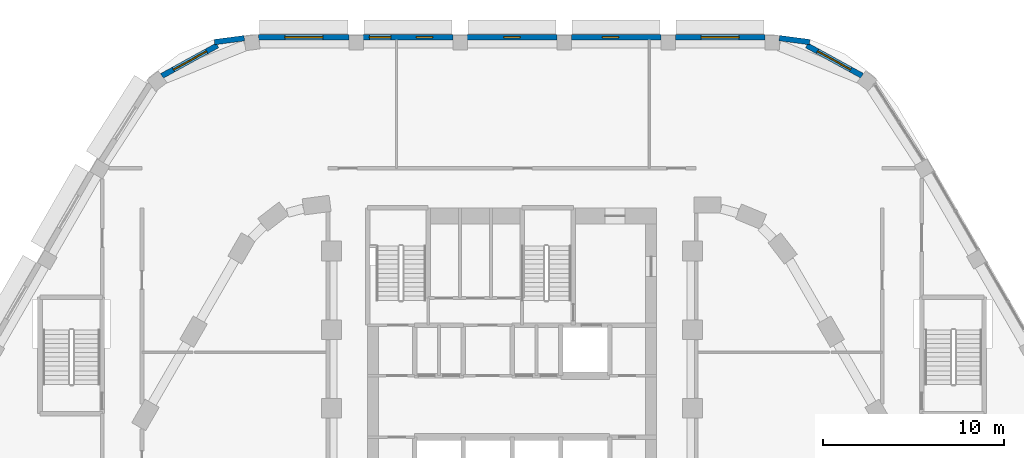
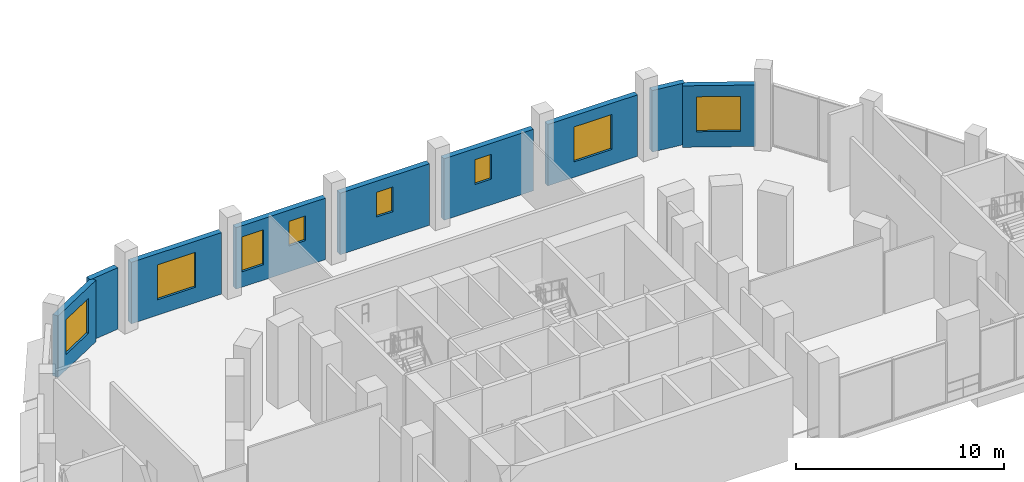
# One storey, part 23 of 45: 9 walls, 8 windows, 8 openings.
"""IFC4 building model written with IfcOpenShell, lengths in metres."""

from ifc_helpers import new_model, si_unit, direction, frame, frame_2d, origin, place, context, subcontext, project, spatial, rectangle, extrude, material, layer, layer_set, type_object, element, fill, save


model = new_model("IFC4")

# Units and contexts
model_context = context("Model", 3, precision=1e-05, world=origin(), true_north=direction((0.0, 1.0)))
body_context = subcontext(model_context, "Body", "Model", "MODEL_VIEW")
ifc_project = project(units=[si_unit("LENGTHUNIT", "METRE"), si_unit("AREAUNIT", "SQUARE_METRE"), si_unit("VOLUMEUNIT", "CUBIC_METRE"), si_unit("PLANEANGLEUNIT", "RADIAN"), si_unit("MASSUNIT", "GRAM", prefix="KILO")], contexts=[model_context])

# Site, building, storey
site_placement = place(None, origin())
site = spatial("IfcSite", under=ifc_project, at=site_placement, CompositionType="ELEMENT")
building_placement = place(site_placement, origin())
building = spatial("IfcBuilding", under=site, at=building_placement, Name="Nakaniwa Court", CompositionType="ELEMENT")
storey_placement = place(building_placement, frame((0.0, 0.0, 6.60009765625)))
storey = spatial("IfcBuildingStorey", under=building, at=storey_placement, Name="L01", CompositionType="ELEMENT", Elevation=6.60009765625)

# Wall, opening, window
ifc_material_1 = material(Name="Charcoal ceramic cladding")
ifc_layer_1 = layer(ifc_material_1, 0.02, Name="Ceramic cladding")
ifc_material_2 = material(Name="Ventilated air cavity")
ifc_layer_2 = layer(ifc_material_2, 0.04, ventilated=True, Name="Ventilated cavity")
ifc_material_3 = material(Name="Mineral wool insulation")
ifc_layer_3 = layer(ifc_material_3, 0.1, Name="Insulation")
ifc_material_4 = material(Name="Cement bonded sheathing board")
ifc_layer_4 = layer(ifc_material_4, 0.012, Name="Sheathing")
ifc_material_5 = material(Name="Cold-formed galvanised stud frame with mineral wool infill")
ifc_layer_5 = layer(ifc_material_5, 0.1, Name="Stud frame")
ifc_material_6 = material(Name="Fire-rated gypsum plasterboard lining")
ifc_layer_6 = layer(ifc_material_6, 0.028, Name="Lining")
ifc_layer_set = layer_set([ifc_layer_1, ifc_layer_2, ifc_layer_3, ifc_layer_4, ifc_layer_5, ifc_layer_6], Name="Charcoal ceramic faced external wall system")
wall_type = type_object("IfcWallType", Name="Black ceramic faced external wall 300", PredefinedType="SOLIDWALL", material=ifc_layer_set)
wall_1_placement = place(storey_placement, frame((99.388671875, 110.71533203125, 0.0), z_axis=(0.0, 0.0, 1.0), x_axis=(-0.876785818174, 0.480881096581, 0.0)))
wall_1 = element("IfcWall", 1, at=wall_1_placement, inside=storey, type_object=wall_type, Name="L01 external wall 44", PredefinedType="SOLIDWALL", context=body_context, shape_type="SweptSolid", body=[
    extrude(rectangle(XDim=3.49658203125, YDim=0.300048828125, at=frame_2d((1.748291015625, 0.0))), origin(), (0.0, 0.0, 1.0), 3.599853515625),
])
opening_1_placement = place(wall_1_placement, frame((0.723388671875, 0.0, 0.89990234375)))
opening_1 = element("IfcOpeningElement", 2, at=opening_1_placement, cuts=wall_1, Name="Opening W2.19", PredefinedType="OPENING", context=body_context, shape_type="SweptSolid", body=[
    extrude(rectangle(XDim=2.10009765625, YDim=2.050048828125, at=frame_2d((1.050048828125, 1.02490234375))), frame((0.0, 0.159912109375, 0.0), z_axis=(0.0, -1.0, 0.0), x_axis=(1.0, 0.0, 0.0)), (0.0, 0.0, 1.0), 0.320068359375),
])
ifc_material_7 = material(Name="Black anodised aluminium frame with dark low-E laminated double glazing", Category="aluminium")
window_type_1 = type_object("IfcWindowType", Name="Dark glass window 2100x2050 sill 900", PartitioningType="SINGLE_PANEL", PredefinedType="WINDOW", material=ifc_material_7)
window_1_placement = place(opening_1_placement, origin())
window_1 = element("IfcWindow", 3, at=window_1_placement, inside=storey, type_object=window_type_1, Name="L01 habitable room window 44-0", OverallHeight=2.050048828125, OverallWidth=2.10009765625, PartitioningType="SINGLE_PANEL", PredefinedType="WINDOW", context=body_context, shape_type="SweptSolid", body=[
    extrude(rectangle(XDim=2.10009765625, YDim=2.050048828125, at=frame_2d((1.050048828125, 1.02490234375))), frame((0.0, 0.030029296875, 0.0), z_axis=(0.0, -1.0, 0.0), x_axis=(1.0, 0.0, 0.0)), (0.0, 0.0, 1.0), 0.06005859375),
])
fill(opening_1, window_1)

# Wall
wall_2_placement = place(storey_placement, frame((96.484619140625, 112.57861328125, 0.0), z_axis=(0.0, 0.0, 1.0), x_axis=(-0.991431291018, 0.130629227937, 0.0)))
element("IfcWall", 4, at=wall_2_placement, inside=storey, type_object=wall_type, Name="L01 external wall 45", PredefinedType="SOLIDWALL", context=body_context, shape_type="SweptSolid", body=[
    extrude(rectangle(XDim=1.698974609375, YDim=0.300048828125, at=frame_2d((0.849609375, 0.0))), origin(), (0.0, 0.0, 1.0), 3.599853515625),
])

# Wall, opening, window
wall_3_placement = place(storey_placement, frame((94.00830078125, 112.85009765625, 0.0), z_axis=(0.0, 0.0, 1.0), x_axis=(-1.0, 0.0, 0.0)))
wall_3 = element("IfcWall", 5, at=wall_3_placement, inside=storey, type_object=wall_type, Name="L01 external wall 46", PredefinedType="SOLIDWALL", context=body_context, shape_type="SweptSolid", body=[
    extrude(rectangle(XDim=4.9697265625, YDim=0.300048828125, at=frame_2d((2.48486328125, 0.0))), origin(), (0.0, 0.0, 1.0), 3.599853515625),
])
opening_2_placement = place(wall_3_placement, frame((1.434814453125, 0.0, 0.89990234375)))
opening_2 = element("IfcOpeningElement", 6, at=opening_2_placement, cuts=wall_3, Name="Opening W2.20", PredefinedType="OPENING", context=body_context, shape_type="SweptSolid", body=[
    extrude(rectangle(XDim=2.10009765625, YDim=2.050048828125, at=frame_2d((1.050048828125, 1.02490234375))), frame((0.0, 0.159912109375, 0.0), z_axis=(0.0, -1.0, 0.0), x_axis=(1.0, 0.0, 0.0)), (0.0, 0.0, 1.0), 0.320068359375),
])
window_2_placement = place(opening_2_placement, origin())
window_2 = element("IfcWindow", 7, at=window_2_placement, inside=storey, type_object=window_type_1, Name="L01 habitable room window 46-0", OverallHeight=2.050048828125, OverallWidth=2.10009765625, PartitioningType="SINGLE_PANEL", PredefinedType="WINDOW", context=body_context, shape_type="SweptSolid", body=[
    extrude(rectangle(XDim=2.10009765625, YDim=2.050048828125, at=frame_2d((1.050048828125, 1.02490234375))), frame((0.0, 0.030029296875, 0.0), z_axis=(0.0, -1.0, 0.0), x_axis=(1.0, 0.0, 0.0)), (0.0, 0.0, 1.0), 0.06005859375),
])
fill(opening_2, window_2)

wall_4_placement = place(storey_placement, frame((88.24658203125, 112.85009765625, 0.0), z_axis=(0.0, 0.0, 1.0), x_axis=(-1.0, 0.0, 0.0)))
wall_4 = element("IfcWall", 8, at=wall_4_placement, inside=storey, type_object=wall_type, Name="L01 external wall 47", PredefinedType="SOLIDWALL", context=body_context, shape_type="SweptSolid", body=[
    extrude(rectangle(XDim=4.9697265625, YDim=0.300048828125, at=frame_2d((2.48486328125, 0.0))), origin(), (0.0, 0.0, 1.0), 3.599853515625),
])
opening_3_placement = place(wall_4_placement, frame((2.34619140625, 0.0, 1.5)))
opening_3 = element("IfcOpeningElement", 9, at=opening_3_placement, cuts=wall_4, Name="Opening W3.21", PredefinedType="OPENING", context=body_context, shape_type="SweptSolid", body=[
    extrude(rectangle(XDim=0.89990234375, YDim=1.449951171875, at=frame_2d((0.449951171875, 0.72509765625))), frame((0.0, 0.159912109375, 0.0), z_axis=(0.0, -1.0, 0.0), x_axis=(1.0, 0.0, 0.0)), (0.0, 0.0, 1.0), 0.320068359375),
])
window_type_2 = type_object("IfcWindowType", Name="Dark glass window 900x1450 sill 1500", PartitioningType="SINGLE_PANEL", PredefinedType="WINDOW", material=ifc_material_7)
window_3_placement = place(opening_3_placement, origin())
window_3 = element("IfcWindow", 10, at=window_3_placement, inside=storey, type_object=window_type_2, Name="L01 bathroom window 47-1", OverallHeight=1.449951171875, OverallWidth=0.89990234375, PartitioningType="SINGLE_PANEL", PredefinedType="WINDOW", context=body_context, shape_type="SweptSolid", body=[
    extrude(rectangle(XDim=0.89990234375, YDim=1.449951171875, at=frame_2d((0.449951171875, 0.72509765625))), frame((0.0, 0.030029296875, 0.0), z_axis=(0.0, -1.0, 0.0), x_axis=(1.0, 0.0, 0.0)), (0.0, 0.0, 1.0), 0.06005859375),
])
fill(opening_3, window_3)

wall_5_placement = place(storey_placement, frame((82.48486328125, 112.85009765625, 0.0), z_axis=(0.0, 0.0, 1.0), x_axis=(-1.0, 0.0, 0.0)))
wall_5 = element("IfcWall", 11, at=wall_5_placement, inside=storey, type_object=wall_type, Name="L01 external wall 48", PredefinedType="SOLIDWALL", context=body_context, shape_type="SweptSolid", body=[
    extrude(rectangle(XDim=4.9697265625, YDim=0.300048828125, at=frame_2d((2.48486328125, 0.0))), origin(), (0.0, 0.0, 1.0), 3.599853515625),
])
opening_4_placement = place(wall_5_placement, frame((2.034912109375, 0.0, 1.5)))
opening_4 = element("IfcOpeningElement", 12, at=opening_4_placement, cuts=wall_5, Name="Opening W3.22", PredefinedType="OPENING", context=body_context, shape_type="SweptSolid", body=[
    extrude(rectangle(XDim=0.89990234375, YDim=1.449951171875, at=frame_2d((0.449951171875, 0.72509765625))), frame((0.0, 0.159912109375, 0.0), z_axis=(0.0, -1.0, 0.0), x_axis=(1.0, 0.0, 0.0)), (0.0, 0.0, 1.0), 0.320068359375),
])
window_4_placement = place(opening_4_placement, origin())
window_4 = element("IfcWindow", 13, at=window_4_placement, inside=storey, type_object=window_type_2, Name="L01 bathroom window 48-0", OverallHeight=1.449951171875, OverallWidth=0.89990234375, PartitioningType="SINGLE_PANEL", PredefinedType="WINDOW", context=body_context, shape_type="SweptSolid", body=[
    extrude(rectangle(XDim=0.89990234375, YDim=1.449951171875, at=frame_2d((0.449951171875, 0.72509765625))), frame((0.0, 0.030029296875, 0.0), z_axis=(0.0, -1.0, 0.0), x_axis=(1.0, 0.0, 0.0)), (0.0, 0.0, 1.0), 0.06005859375),
])
fill(opening_4, window_4)

# Wall, openings, windows
wall_6_placement = place(storey_placement, frame((76.72314453125, 112.85009765625, 0.0), z_axis=(0.0, 0.0, 1.0), x_axis=(-1.0, 0.0, 0.0)))
wall_6 = element("IfcWall", 14, at=wall_6_placement, inside=storey, type_object=wall_type, Name="L01 external wall 49", PredefinedType="SOLIDWALL", context=body_context, shape_type="SweptSolid", body=[
    extrude(rectangle(XDim=4.9697265625, YDim=0.300048828125, at=frame_2d((2.48486328125, 0.0))), origin(), (0.0, 0.0, 1.0), 3.599853515625),
])
opening_5_placement = place(wall_6_placement, frame((1.12353515625, 0.0, 1.5)))
opening_5 = element("IfcOpeningElement", 15, at=opening_5_placement, cuts=wall_6, Name="Opening W3.23", PredefinedType="OPENING", context=body_context, shape_type="SweptSolid", body=[
    extrude(rectangle(XDim=0.89990234375, YDim=1.449951171875, at=frame_2d((0.449951171875, 0.72509765625))), frame((0.0, 0.159912109375, 0.0), z_axis=(0.0, -1.0, 0.0), x_axis=(1.0, 0.0, 0.0)), (0.0, 0.0, 1.0), 0.320068359375),
])
opening_6_placement = place(wall_6_placement, frame((3.434326171875, 0.0, 0.89990234375)))
opening_6 = element("IfcOpeningElement", 16, at=opening_6_placement, cuts=wall_6, Name="Opening W1.24", PredefinedType="OPENING", context=body_context, shape_type="SweptSolid", body=[
    extrude(rectangle(XDim=1.199951171875, YDim=2.050048828125, at=frame_2d((0.60009765625, 1.02490234375))), frame((0.0, 0.159912109375, 0.0), z_axis=(0.0, -1.0, 0.0), x_axis=(1.0, 0.0, 0.0)), (0.0, 0.0, 1.0), 0.320068359375),
])
window_type_3 = type_object("IfcWindowType", Name="Dark glass window 1200x2050 sill 900", PartitioningType="SINGLE_PANEL", PredefinedType="WINDOW", material=ifc_material_7)
window_5_placement = place(opening_6_placement, origin())
window_5 = element("IfcWindow", 17, at=window_5_placement, inside=storey, type_object=window_type_3, Name="L01 habitable room window 49-1", OverallHeight=2.050048828125, OverallWidth=1.199951171875, PartitioningType="SINGLE_PANEL", PredefinedType="WINDOW", context=body_context, shape_type="SweptSolid", body=[
    extrude(rectangle(XDim=1.199951171875, YDim=2.050048828125, at=frame_2d((0.60009765625, 1.02490234375))), frame((0.0, 0.030029296875, 0.0), z_axis=(0.0, -1.0, 0.0), x_axis=(1.0, 0.0, 0.0)), (0.0, 0.0, 1.0), 0.06005859375),
])
fill(opening_6, window_5)
window_6_placement = place(opening_5_placement, origin())
window_6 = element("IfcWindow", 18, at=window_6_placement, inside=storey, type_object=window_type_2, Name="L01 bathroom window 49-0", OverallHeight=1.449951171875, OverallWidth=0.89990234375, PartitioningType="SINGLE_PANEL", PredefinedType="WINDOW", context=body_context, shape_type="SweptSolid", body=[
    extrude(rectangle(XDim=0.89990234375, YDim=1.449951171875, at=frame_2d((0.449951171875, 0.72509765625))), frame((0.0, 0.030029296875, 0.0), z_axis=(0.0, -1.0, 0.0), x_axis=(1.0, 0.0, 0.0)), (0.0, 0.0, 1.0), 0.06005859375),
])
fill(opening_5, window_6)

# Wall, opening, window
wall_7_placement = place(storey_placement, frame((70.96142578125, 112.85009765625, 0.0), z_axis=(0.0, 0.0, 1.0), x_axis=(-1.0, 0.0, 0.0)))
wall_7 = element("IfcWall", 19, at=wall_7_placement, inside=storey, type_object=wall_type, Name="L01 external wall 50", PredefinedType="SOLIDWALL", context=body_context, shape_type="SweptSolid", body=[
    extrude(rectangle(XDim=5.005615234375, YDim=0.300048828125, at=frame_2d((2.5029296875, 0.0))), origin(), (0.0, 0.0, 1.0), 3.599853515625),
])
opening_7_placement = place(wall_7_placement, frame((1.441650390625, 0.0, 0.89990234375)))
opening_7 = element("IfcOpeningElement", 20, at=opening_7_placement, cuts=wall_7, Name="Opening W2.25", PredefinedType="OPENING", context=body_context, shape_type="SweptSolid", body=[
    extrude(rectangle(XDim=2.10009765625, YDim=2.050048828125, at=frame_2d((1.050048828125, 1.02490234375))), frame((0.0, 0.159912109375, 0.0), z_axis=(0.0, -1.0, 0.0), x_axis=(1.0, 0.0, 0.0)), (0.0, 0.0, 1.0), 0.320068359375),
])
window_7_placement = place(opening_7_placement, origin())
window_7 = element("IfcWindow", 21, at=window_7_placement, inside=storey, type_object=window_type_1, Name="L01 habitable room window 50-0", OverallHeight=2.050048828125, OverallWidth=2.10009765625, PartitioningType="SINGLE_PANEL", PredefinedType="WINDOW", context=body_context, shape_type="SweptSolid", body=[
    extrude(rectangle(XDim=2.10009765625, YDim=2.050048828125, at=frame_2d((1.050048828125, 1.02490234375))), frame((0.0, 0.030029296875, 0.0), z_axis=(0.0, -1.0, 0.0), x_axis=(1.0, 0.0, 0.0)), (0.0, 0.0, 1.0), 0.06005859375),
])
fill(opening_7, window_7)

# Wall
wall_8_placement = place(storey_placement, frame((65.1640625, 112.795654296875, 0.0), z_axis=(0.0, 0.0, 1.0), x_axis=(-0.991445798324, -0.130519075183, 0.0)))
element("IfcWall", 22, at=wall_8_placement, inside=storey, type_object=wall_type, Name="L01 external wall 51", PredefinedType="SOLIDWALL", context=body_context, shape_type="SweptSolid", body=[
    extrude(rectangle(XDim=1.662841796875, YDim=0.300048828125, at=frame_2d((0.83154296875, 0.0))), origin(), (0.0, 0.0, 1.0), 3.599853515625),
])

# Wall, opening, window
wall_9_placement = place(storey_placement, frame((63.677978515625, 112.395751953125, 0.0), z_axis=(0.0, 0.0, 1.0), x_axis=(-0.876502039768, -0.481398145284, 0.0)))
wall_9 = element("IfcWall", 23, at=wall_9_placement, inside=storey, type_object=wall_type, Name="L01 external wall 52", PredefinedType="SOLIDWALL", context=body_context, shape_type="SweptSolid", body=[
    extrude(rectangle(XDim=3.510986328125, YDim=0.300048828125, at=frame_2d((1.75537109375, 0.0))), origin(), (0.0, 0.0, 1.0), 3.599853515625),
])
opening_8_placement = place(wall_9_placement, frame((0.680419921875, 0.0, 0.89990234375)))
opening_8 = element("IfcOpeningElement", 24, at=opening_8_placement, cuts=wall_9, Name="Opening W2.26", PredefinedType="OPENING", context=body_context, shape_type="SweptSolid", body=[
    extrude(rectangle(XDim=2.10009765625, YDim=2.050048828125, at=frame_2d((1.050048828125, 1.02490234375))), frame((0.0, 0.159912109375, 0.0), z_axis=(0.0, -1.0, 0.0), x_axis=(1.0, 0.0, 0.0)), (0.0, 0.0, 1.0), 0.320068359375),
])
window_8_placement = place(opening_8_placement, origin())
window_8 = element("IfcWindow", 25, at=window_8_placement, inside=storey, type_object=window_type_1, Name="L01 habitable room window 52-0", OverallHeight=2.050048828125, OverallWidth=2.10009765625, PartitioningType="SINGLE_PANEL", PredefinedType="WINDOW", context=body_context, shape_type="SweptSolid", body=[
    extrude(rectangle(XDim=2.10009765625, YDim=2.050048828125, at=frame_2d((1.050048828125, 1.02490234375))), frame((0.0, 0.030029296875, 0.0), z_axis=(0.0, -1.0, 0.0), x_axis=(1.0, 0.0, 0.0)), (0.0, 0.0, 1.0), 0.06005859375),
])
fill(opening_8, window_8)

save(model, "model.ifc")
